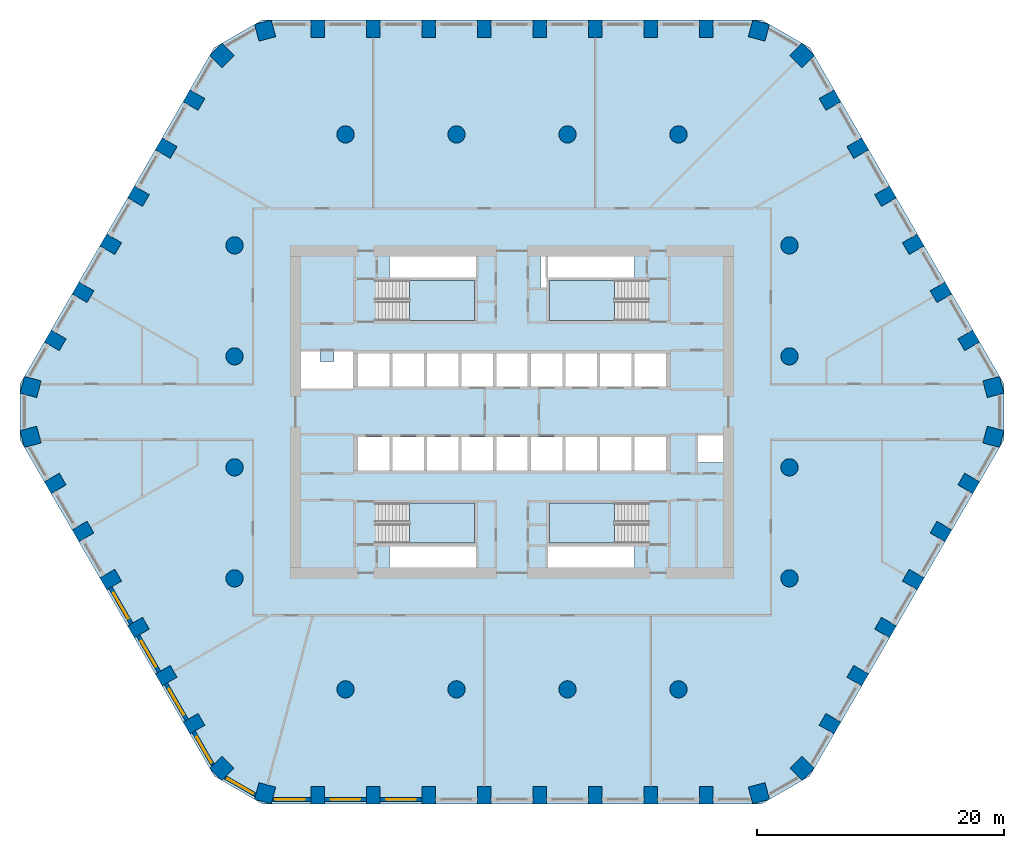
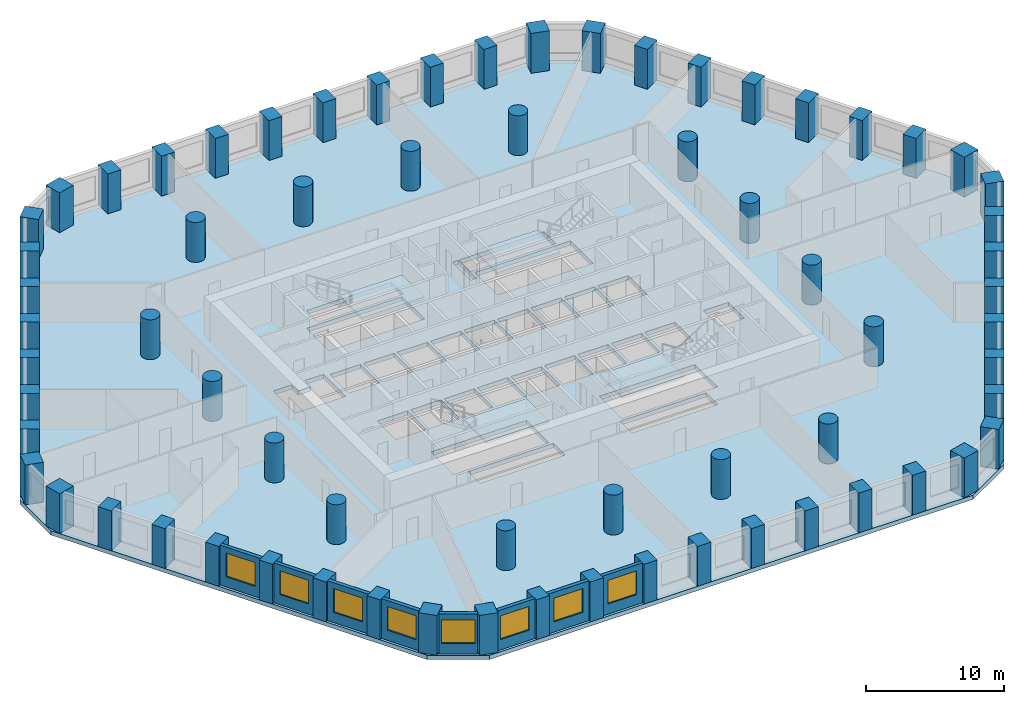
# One storey, part 1 of 10: 68 columns, 8 walls, 8 windows, 5 slabs, 8 openings, 4 elements without a shape of their own.
"""IFC4 building model written with IfcOpenShell, lengths in metres."""

from ifc_helpers import new_model, si_unit, direction, frame, frame_2d, origin, origin_2d, place, context, subcontext, project, spatial, polyline, rectangle, circle, outline, extrude, material, layer, layer_set, material_profile, profile_set, type_object, element, fill, aggregate, save


model = new_model("IFC4")

# Units and contexts
model_context = context("Model", 3, precision=1e-05, world=origin(), true_north=direction((0.0, 1.0)))
body_context = subcontext(model_context, "Body", "Model", "MODEL_VIEW")
ifc_project = project(units=[si_unit("LENGTHUNIT", "METRE"), si_unit("AREAUNIT", "SQUARE_METRE"), si_unit("VOLUMEUNIT", "CUBIC_METRE"), si_unit("PLANEANGLEUNIT", "RADIAN"), si_unit("MASSUNIT", "GRAM", prefix="KILO")], contexts=[model_context])

# Site, building, storey
site_placement = place(None, origin())
site = spatial("IfcSite", under=ifc_project, at=site_placement, CompositionType="ELEMENT")
building_placement = place(site_placement, origin())
building = spatial("IfcBuilding", under=site, at=building_placement, Name="Dhurran Vertical Campus", CompositionType="ELEMENT")
storey_placement = place(building_placement, frame((0.0, 0.0, 33.89990234375)))
storey = spatial("IfcBuildingStorey", under=building, at=storey_placement, Name="L07", CompositionType="ELEMENT", Elevation=33.89990234375)

# Columns
ifc_material_1 = material(Name="Concrete C70/85", Category="concrete")
ifc_material_profile_1 = material_profile(ifc_material_1, rectangle(XDim=1.10009765625, YDim=1.39990234375, at=origin_2d()), Name="RC 1100x1400")
ifc_profile_set_1 = profile_set([ifc_material_profile_1], Name="Concrete C70/85")
column_type_1 = type_object("IfcColumnType", Name="FR COL RC 1100x1400 C70/85", PredefinedType="COLUMN", material=ifc_profile_set_1)
for number, where, z_axis, x_axis, name in (
    (1, (-15.75, -31.079833984375, 0.0), (0.0, 0.0, 1.0), (1.0, 0.0, 0.0), "Perimeter pier PP1.01"),
    (2, (-11.25, -31.079833984375, 0.0), (0.0, 0.0, 1.0), (1.0, 0.0, 0.0), "Perimeter pier PP1.02"),
    (3, (-6.75, -31.079833984375, 0.0), (0.0, 0.0, 1.0), (1.0, 0.0, 0.0), "Perimeter pier PP1.03"),
    (4, (-2.25, -31.079833984375, 0.0), (0.0, 0.0, 1.0), (1.0, 0.0, 0.0), "Perimeter pier PP1.04"),
    (5, (2.25, -31.079833984375, 0.0), (0.0, 0.0, 1.0), (1.0, 0.0, 0.0), "Perimeter pier PP1.05"),
    (6, (6.75, -31.079833984375, 0.0), (0.0, 0.0, 1.0), (1.0, 0.0, 0.0), "Perimeter pier PP1.06"),
    (7, (11.25, -31.079833984375, 0.0), (0.0, 0.0, 1.0), (1.0, 0.0, 0.0), "Perimeter pier PP1.07"),
    (8, (15.75, -31.079833984375, 0.0), (0.0, 0.0, 1.0), (1.0, 0.0, 0.0), "Perimeter pier PP1.08"),
    (9, (25.791015625, -25.28271484375, 0.0), (0.0, 0.0, 1.0), (0.5, 0.866025403784, 0.0), "Perimeter pier PP1.11"),
    (10, (28.041015625, -21.385498046875, 0.0), (0.0, 0.0, 1.0), (0.5, 0.866025403784, 0.0), "Perimeter pier PP1.12"),
    (11, (30.291015625, -17.488525390625, 0.0), (0.0, 0.0, 1.0), (0.5, 0.866025403784, 0.0), "Perimeter pier PP1.13"),
    (12, (32.541015625, -13.59130859375, 0.0), (0.0, 0.0, 1.0), (0.5, 0.866025403784, 0.0), "Perimeter pier PP1.14"),
    (13, (34.791015625, -9.694091796875, 0.0), (0.0, 0.0, 1.0), (0.5, 0.866025403784, 0.0), "Perimeter pier PP1.15"),
    (14, (37.041015625, -5.797119140625, 0.0), (0.0, 0.0, 1.0), (0.5, 0.866025403784, 0.0), "Perimeter pier PP1.16"),
    (15, (37.041015625, 5.797119140625, 0.0), (0.0, 0.0, 1.0), (-0.5, 0.866025403784, 0.0), "Perimeter pier PP1.19"),
    (16, (34.791015625, 9.694091796875, 0.0), (0.0, 0.0, 1.0), (-0.5, 0.866025403784, 0.0), "Perimeter pier PP1.20"),
    (17, (32.541015625, 13.59130859375, 0.0), (0.0, 0.0, 1.0), (-0.5, 0.866025403784, 0.0), "Perimeter pier PP1.21"),
    (18, (30.291015625, 17.488525390625, 0.0), (0.0, 0.0, 1.0), (-0.5, 0.866025403784, 0.0), "Perimeter pier PP1.22"),
    (19, (28.041015625, 21.385498046875, 0.0), (0.0, 0.0, 1.0), (-0.5, 0.866025403784, 0.0), "Perimeter pier PP1.23"),
    (20, (25.791015625, 25.28271484375, 0.0), (0.0, 0.0, 1.0), (-0.5, 0.866025403784, 0.0), "Perimeter pier PP1.24"),
    (21, (15.75, 31.079833984375, 0.0), (0.0, 0.0, 1.0), (-1.0, 0.0, 0.0), "Perimeter pier PP1.27"),
    (22, (11.25, 31.079833984375, 0.0), (0.0, 0.0, 1.0), (-1.0, 0.0, 0.0), "Perimeter pier PP1.28"),
    (23, (6.75, 31.079833984375, 0.0), (0.0, 0.0, 1.0), (-1.0, 0.0, 0.0), "Perimeter pier PP1.29"),
    (24, (2.25, 31.079833984375, 0.0), (0.0, 0.0, 1.0), (-1.0, 0.0, 0.0), "Perimeter pier PP1.30"),
    (25, (-2.25, 31.079833984375, 0.0), (0.0, 0.0, 1.0), (-1.0, 0.0, 0.0), "Perimeter pier PP1.31"),
    (26, (-6.75, 31.079833984375, 0.0), (0.0, 0.0, 1.0), (-1.0, 0.0, 0.0), "Perimeter pier PP1.32"),
    (27, (-11.25, 31.079833984375, 0.0), (0.0, 0.0, 1.0), (-1.0, 0.0, 0.0), "Perimeter pier PP1.33"),
    (28, (-15.75, 31.079833984375, 0.0), (0.0, 0.0, 1.0), (-1.0, 0.0, 0.0), "Perimeter pier PP1.34"),
    (29, (-25.791015625, 25.28271484375, 0.0), (0.0, 0.0, 1.0), (-0.5, -0.866025403784, 0.0), "Perimeter pier PP1.37"),
    (30, (-28.041015625, 21.385498046875, 0.0), (0.0, 0.0, 1.0), (-0.5, -0.866025403784, 0.0), "Perimeter pier PP1.38"),
    (31, (-30.291015625, 17.488525390625, 0.0), (0.0, 0.0, 1.0), (-0.5, -0.866025403784, 0.0), "Perimeter pier PP1.39"),
    (32, (-32.541015625, 13.59130859375, 0.0), (0.0, 0.0, 1.0), (-0.5, -0.866025403784, 0.0), "Perimeter pier PP1.40"),
    (33, (-34.791015625, 9.694091796875, 0.0), (0.0, 0.0, 1.0), (-0.5, -0.866025403784, 0.0), "Perimeter pier PP1.41"),
    (34, (-37.041015625, 5.797119140625, 0.0), (0.0, 0.0, 1.0), (-0.5, -0.866025403784, 0.0), "Perimeter pier PP1.42"),
    (35, (-37.041015625, -5.797119140625, 0.0), (0.0, 0.0, 1.0), (0.5, -0.866025403784, 0.0), "Perimeter pier PP1.45"),
    (36, (-34.791015625, -9.694091796875, 0.0), (0.0, 0.0, 1.0), (0.5, -0.866025403784, 0.0), "Perimeter pier PP1.46"),
    (37, (-32.541015625, -13.59130859375, 0.0), (0.0, 0.0, 1.0), (0.5, -0.866025403784, 0.0), "Perimeter pier PP1.47"),
    (38, (-30.291015625, -17.488525390625, 0.0), (0.0, 0.0, 1.0), (0.5, -0.866025403784, 0.0), "Perimeter pier PP1.48"),
    (39, (-28.041015625, -21.385498046875, 0.0), (0.0, 0.0, 1.0), (0.5, -0.866025403784, 0.0), "Perimeter pier PP1.49"),
    (40, (-25.791015625, -25.28271484375, 0.0), (0.0, 0.0, 1.0), (0.5, -0.866025403784, 0.0), "Perimeter pier PP1.50"),
):
    element("IfcColumn", number, at=place(storey_placement, frame(where, z_axis=z_axis, x_axis=x_axis)), inside=storey, type_object=column_type_1, Name=name, PredefinedType="COLUMN", context=body_context, shape_type="SweptSolid", body=[
        extrude(rectangle(XDim=1.10009765625, YDim=1.39990234375, at=origin_2d()), origin(), (0.0, 0.0, 1.0), 3.525146484375),
    ])
ifc_material_2 = material(Name="Concrete C70/85", Category="concrete")
ifc_material_profile_2 = material_profile(ifc_material_2, rectangle(XDim=1.39990234375, YDim=1.39990234375, at=origin_2d()), Name="RC 1400x1400")
ifc_profile_set_2 = profile_set([ifc_material_profile_2], Name="Concrete C70/85")
column_type_2 = type_object("IfcColumnType", Name="FR COL RC 1400x1400 C70/85", PredefinedType="COLUMN", material=ifc_profile_set_2)
for number, where, z_axis, x_axis, name in (
    (41, (-20.020263671875, -30.922607421875, 0.0), (0.0, 0.0, 1.0), (0.965925826289, -0.258819045103, 0.0), "Perimeter pier PP1.00"),
    (42, (20.020263671875, -30.922607421875, 0.0), (0.0, 0.0, 1.0), (0.965925826289, 0.258819045103, 0.0), "Perimeter pier PP1.09"),
    (43, (23.51953125, -28.902099609375, 0.0), (0.0, 0.0, 1.0), (0.707106781187, 0.707106781187, 0.0), "Perimeter pier PP1.10"),
    (44, (39.039794921875, -2.020263671875, 0.0), (0.0, 0.0, 1.0), (0.258819045103, 0.965925826289, 0.0), "Perimeter pier PP1.17"),
    (45, (39.039794921875, 2.020263671875, 0.0), (0.0, 0.0, 1.0), (-0.258819045103, 0.965925826289, 0.0), "Perimeter pier PP1.18"),
    (46, (23.51953125, 28.902099609375, 0.0), (0.0, 0.0, 1.0), (-0.707106781187, 0.707106781187, 0.0), "Perimeter pier PP1.25"),
    (47, (20.020263671875, 30.922607421875, 0.0), (0.0, 0.0, 1.0), (-0.965925826289, 0.258819045103, 0.0), "Perimeter pier PP1.26"),
    (48, (-20.020263671875, 30.922607421875, 0.0), (0.0, 0.0, 1.0), (-0.965925826289, -0.258819045103, 0.0), "Perimeter pier PP1.35"),
    (49, (-23.51953125, 28.902099609375, 0.0), (0.0, 0.0, 1.0), (-0.707106781187, -0.707106781187, 0.0), "Perimeter pier PP1.36"),
    (50, (-39.039794921875, 2.020263671875, 0.0), (0.0, 0.0, 1.0), (-0.258819045103, -0.965925826289, 0.0), "Perimeter pier PP1.43"),
    (51, (-39.039794921875, -2.020263671875, 0.0), (0.0, 0.0, 1.0), (0.258819045103, -0.965925826289, 0.0), "Perimeter pier PP1.44"),
    (52, (-23.51953125, -28.902099609375, 0.0), (0.0, 0.0, 1.0), (0.707106781187, -0.707106781187, 0.0), "Perimeter pier PP1.51"),
):
    element("IfcColumn", number, at=place(storey_placement, frame(where, z_axis=z_axis, x_axis=x_axis)), inside=storey, type_object=column_type_2, Name=name, PredefinedType="COLUMN", context=body_context, shape_type="SweptSolid", body=[
        extrude(rectangle(XDim=1.39990234375, YDim=1.39990234375, at=origin_2d()), origin(), (0.0, 0.0, 1.0), 3.525146484375),
    ])
ifc_material_3 = material(Name="Concrete C70/85", Category="concrete")
ifc_material_profile_3 = material_profile(ifc_material_3, circle(Radius=0.699951171875, at=origin_2d()), Name="RCC D1400")
ifc_profile_set_3 = profile_set([ifc_material_profile_3], Name="Concrete C70/85")
column_type_3 = type_object("IfcColumnType", Name="FR COL RCC D1400 C70/85", PredefinedType="COLUMN", material=ifc_profile_set_3)
for number, where, z_axis, x_axis, name in (
    (53, (-22.5, -13.5, 0.0), (0.0, 0.0, 1.0), (1.0, 0.0, 0.0), "Inner column IC1-D4"),
    (54, (-22.5, -4.5, 0.0), (0.0, 0.0, 1.0), (1.0, 0.0, 0.0), "Inner column IC1-D5"),
    (55, (-22.5, 4.5, 0.0), (0.0, 0.0, 1.0), (1.0, 0.0, 0.0), "Inner column IC1-D6"),
    (56, (-22.5, 13.5, 0.0), (0.0, 0.0, 1.0), (1.0, 0.0, 0.0), "Inner column IC1-D7"),
    (57, (-13.5, -22.5, 0.0), (0.0, 0.0, 1.0), (1.0, 0.0, 0.0), "Inner column IC1-E3"),
    (58, (-13.5, 22.5, 0.0), (0.0, 0.0, 1.0), (1.0, 0.0, 0.0), "Inner column IC1-E8"),
    (59, (-4.5, -22.5, 0.0), (0.0, 0.0, 1.0), (1.0, 0.0, 0.0), "Inner column IC1-F3"),
    (60, (-4.5, 22.5, 0.0), (0.0, 0.0, 1.0), (1.0, 0.0, 0.0), "Inner column IC1-F8"),
    (61, (4.5, -22.5, 0.0), (0.0, 0.0, 1.0), (1.0, 0.0, 0.0), "Inner column IC1-G3"),
    (62, (4.5, 22.5, 0.0), (0.0, 0.0, 1.0), (1.0, 0.0, 0.0), "Inner column IC1-G8"),
    (63, (13.5, -22.5, 0.0), (0.0, 0.0, 1.0), (1.0, 0.0, 0.0), "Inner column IC1-H3"),
    (64, (13.5, 22.5, 0.0), (0.0, 0.0, 1.0), (1.0, 0.0, 0.0), "Inner column IC1-H8"),
    (65, (22.5, -13.5, 0.0), (0.0, 0.0, 1.0), (1.0, 0.0, 0.0), "Inner column IC1-J4"),
    (66, (22.5, -4.5, 0.0), (0.0, 0.0, 1.0), (1.0, 0.0, 0.0), "Inner column IC1-J5"),
    (67, (22.5, 4.5, 0.0), (0.0, 0.0, 1.0), (1.0, 0.0, 0.0), "Inner column IC1-J6"),
    (68, (22.5, 13.5, 0.0), (0.0, 0.0, 1.0), (1.0, 0.0, 0.0), "Inner column IC1-J7"),
):
    element("IfcColumn", number, at=place(storey_placement, frame(where, z_axis=z_axis, x_axis=x_axis)), inside=storey, type_object=column_type_3, Name=name, PredefinedType="COLUMN", context=body_context, shape_type="SweptSolid", body=[
        extrude(circle(Radius=0.699951171875, at=origin_2d()), origin(), (0.0, 0.0, 1.0), 3.525146484375),
    ])

# Slab
ifc_material_4 = material(Name="Concrete C40/50", Category="concrete")
ifc_layer_1 = layer(ifc_material_4, 0.375)
ifc_layer_set_1 = layer_set([ifc_layer_1], Name="Concrete C40/50")
slab_type_1 = type_object("IfcSlabType", Name="FR POST-TENSIONED FLAT SLAB 375", PredefinedType="FLOOR", material=ifc_layer_set_1)
slab_1_placement = place(storey_placement, frame((0.0, 0.0, -0.375)))
element("IfcSlab", 69, at=slab_1_placement, inside=storey, type_object=slab_type_1, Name="Floor slab L07", PredefinedType="FLOOR", context=body_context, shape_type="SweptSolid", body=[
    extrude(outline(polyline([(-20.25, -31.77978515625), (20.25, -31.77978515625), (24.147216796875, -29.52978515625), (39.897216796875, -2.25), (39.897216796875, 2.25), (24.147216796875, 29.52978515625), (20.25, 31.77978515625), (-20.25, 31.77978515625), (-24.147216796875, 29.52978515625), (-39.897216796875, 2.25), (-39.897216796875, -2.25), (-24.147216796875, -29.52978515625), (-20.25, -31.77978515625)]), holes=[polyline([(-12.47509765625, 2.050048828125), (-9.925048828125, 2.050048828125), (-9.925048828125, 4.75), (-12.47509765625, 4.75), (-12.47509765625, 2.050048828125)]), polyline([(-9.675048828125, 2.050048828125), (-7.125, 2.050048828125), (-7.125, 4.75), (-9.675048828125, 4.75), (-9.675048828125, 2.050048828125)]), polyline([(-6.875, 2.050048828125), (-4.324951171875, 2.050048828125), (-4.324951171875, 4.75), (-6.875, 4.75), (-6.875, 2.050048828125)]), polyline([(-1.27490234375, 2.050048828125), (1.27490234375, 2.050048828125), (1.27490234375, 4.75), (-1.27490234375, 4.75), (-1.27490234375, 2.050048828125)]), polyline([(9.925048828125, 2.050048828125), (12.47509765625, 2.050048828125), (12.47509765625, 4.75), (9.925048828125, 4.75), (9.925048828125, 2.050048828125)]), polyline([(-1.27490234375, -4.75), (1.27490234375, -4.75), (1.27490234375, -2.050048828125), (-1.27490234375, -2.050048828125), (-1.27490234375, -4.75)]), polyline([(1.52490234375, -4.75), (4.074951171875, -4.75), (4.074951171875, -2.050048828125), (1.52490234375, -2.050048828125), (1.52490234375, -4.75)]), polyline([(4.324951171875, -4.75), (6.875, -4.75), (6.875, -2.050048828125), (4.324951171875, -2.050048828125), (4.324951171875, -4.75)]), polyline([(7.125, -4.75), (9.675048828125, -4.75), (9.675048828125, -2.050048828125), (7.125, -2.050048828125), (7.125, -4.75)]), polyline([(9.925048828125, -4.75), (12.47509765625, -4.75), (12.47509765625, -2.050048828125), (9.925048828125, -2.050048828125), (9.925048828125, -4.75)]), polyline([(-4.074951171875, 2.050048828125), (-1.52490234375, 2.050048828125), (-1.52490234375, 4.75), (-4.074951171875, 4.75), (-4.074951171875, 2.050048828125)]), polyline([(1.52490234375, 2.050048828125), (4.074951171875, 2.050048828125), (4.074951171875, 4.75), (1.52490234375, 4.75), (1.52490234375, 2.050048828125)]), polyline([(4.324951171875, 2.050048828125), (6.875, 2.050048828125), (6.875, 4.75), (4.324951171875, 4.75), (4.324951171875, 2.050048828125)]), polyline([(7.125, 2.050048828125), (9.675048828125, 2.050048828125), (9.675048828125, 4.75), (7.125, 4.75), (7.125, 2.050048828125)]), polyline([(-12.47509765625, -4.75), (-9.925048828125, -4.75), (-9.925048828125, -2.050048828125), (-12.47509765625, -2.050048828125), (-12.47509765625, -4.75)]), polyline([(-9.675048828125, -4.75), (-7.125, -4.75), (-7.125, -2.050048828125), (-9.675048828125, -2.050048828125), (-9.675048828125, -4.75)]), polyline([(-6.875, -4.75), (-4.324951171875, -4.75), (-4.324951171875, -2.050048828125), (-6.875, -2.050048828125), (-6.875, -4.75)]), polyline([(-4.074951171875, -4.75), (-1.52490234375, -4.75), (-1.52490234375, -2.050048828125), (-4.074951171875, -2.050048828125), (-4.074951171875, -4.75)]), polyline([(-11.050048828125, 7.39990234375), (-3.050048828125, 7.39990234375), (-3.050048828125, 10.64990234375), (-11.050048828125, 10.64990234375), (-11.050048828125, 7.39990234375)]), polyline([(3.050048828125, 7.39990234375), (11.050048828125, 7.39990234375), (11.050048828125, 10.64990234375), (3.050048828125, 10.64990234375), (3.050048828125, 7.39990234375)]), polyline([(-11.050048828125, -10.64990234375), (-3.050048828125, -10.64990234375), (-3.050048828125, -7.39990234375), (-11.050048828125, -7.39990234375), (-11.050048828125, -10.64990234375)]), polyline([(3.050048828125, -10.64990234375), (11.050048828125, -10.64990234375), (11.050048828125, -7.39990234375), (3.050048828125, -7.39990234375), (3.050048828125, -10.64990234375)]), polyline([(2.300048828125, 9.97509765625), (2.300048828125, 12.60009765625), (2.800048828125, 12.60009765625), (2.800048828125, 9.97509765625), (2.300048828125, 9.97509765625)]), polyline([(-9.949951171875, 10.89990234375), (-9.949951171875, 12.60009765625), (-2.800048828125, 12.60009765625), (-2.800048828125, 10.89990234375), (-9.949951171875, 10.89990234375)]), polyline([(9.949951171875, 12.60009765625), (9.949951171875, 10.89990234375), (2.85009765625, 10.89990234375), (2.85009765625, 12.60009765625), (9.949951171875, 12.60009765625)]), polyline([(-9.949951171875, -12.60009765625), (-9.949951171875, -10.89990234375), (-2.800048828125, -10.89990234375), (-2.800048828125, -12.60009765625), (-9.949951171875, -12.60009765625)]), polyline([(9.949951171875, -10.89990234375), (9.949951171875, -12.60009765625), (2.800048828125, -12.60009765625), (2.800048828125, -10.89990234375), (9.949951171875, -10.89990234375)]), polyline([(17.10009765625, -4.10009765625), (15.0, -4.10009765625), (15.0, -1.800048828125), (17.10009765625, -1.800048828125), (17.10009765625, -4.10009765625)]), polyline([(-17.10009765625, 1.800048828125), (-17.10009765625, 5.0), (-15.550048828125, 5.0), (-15.550048828125, 4.10009765625), (-14.449951171875, 4.10009765625), (-14.449951171875, 5.0), (-12.89990234375, 5.0), (-12.89990234375, 1.800048828125), (-17.10009765625, 1.800048828125)])]), origin(), (0.0, 0.0, 1.0), 0.375),
])

# Stair, slab
ifc_material_5 = material(Name="Concrete C40/50", Category="concrete")
stair_type = type_object("IfcStairType", Name="co-ST-CORE", PredefinedType="HALF_TURN_STAIR", material=ifc_material_5)
stair_1_placement = place(storey_placement, origin())
stair_1 = element("IfcStair", 70, at=stair_1_placement, inside=storey, type_object=stair_type, Name="L07 Protected exit stair ST1", PredefinedType="HALF_TURN_STAIR")
ifc_material_6 = material(Name="Concrete C40/50", Category="concrete")
ifc_layer_2 = layer(ifc_material_6, 0.199951171875)
ifc_layer_set_2 = layer_set([ifc_layer_2], Name="Concrete C40/50")
slab_type_2 = type_object("IfcSlabType", Name="co-SL-LANDING", PredefinedType="LANDING", material=ifc_layer_set_2)
slab_2_placement = place(storey_placement, frame((0.0, 0.0, 1.75)))
slab_2 = element("IfcSlab", 71, at=slab_2_placement, type_object=slab_type_2, Name="ST1 landing 1", PredefinedType="LANDING", context=body_context, shape_type="SweptSolid", body=[
    extrude(outline(polyline([(-8.300048828125, 7.39990234375), (-3.050048828125, 7.39990234375), (-3.050048828125, 10.64990234375), (-8.300048828125, 10.64990234375), (-8.300048828125, 7.39990234375)])), origin(), (0.0, 0.0, 1.0), 0.2001953125),
])
aggregate(stair_1, [slab_2])

stair_2_placement = place(storey_placement, origin())
stair_2 = element("IfcStair", 72, at=stair_2_placement, inside=storey, type_object=stair_type, Name="L07 Protected exit stair ST2", PredefinedType="HALF_TURN_STAIR")
slab_3_placement = place(storey_placement, frame((0.0, 0.0, 1.75)))
slab_3 = element("IfcSlab", 73, at=slab_3_placement, type_object=slab_type_2, Name="ST2 landing 1", PredefinedType="LANDING", context=body_context, shape_type="SweptSolid", body=[
    extrude(outline(polyline([(8.300048828125, 10.64990234375), (3.050048828125, 10.64990234375), (3.050048828125, 7.39990234375), (8.300048828125, 7.39990234375), (8.300048828125, 10.64990234375)])), origin(), (0.0, 0.0, 1.0), 0.2001953125),
])
aggregate(stair_2, [slab_3])

stair_3_placement = place(storey_placement, origin())
stair_3 = element("IfcStair", 74, at=stair_3_placement, inside=storey, type_object=stair_type, Name="L07 Protected exit stair ST3", PredefinedType="HALF_TURN_STAIR")
slab_4_placement = place(storey_placement, frame((0.0, 0.0, 1.75)))
slab_4 = element("IfcSlab", 75, at=slab_4_placement, type_object=slab_type_2, Name="ST3 landing 1", PredefinedType="LANDING", context=body_context, shape_type="SweptSolid", body=[
    extrude(outline(polyline([(-8.300048828125, -10.64990234375), (-3.050048828125, -10.64990234375), (-3.050048828125, -7.39990234375), (-8.300048828125, -7.39990234375), (-8.300048828125, -10.64990234375)])), origin(), (0.0, 0.0, 1.0), 0.2001953125),
])
aggregate(stair_3, [slab_4])

stair_4_placement = place(storey_placement, origin())
stair_4 = element("IfcStair", 76, at=stair_4_placement, inside=storey, type_object=stair_type, Name="L07 Protected exit stair ST4", PredefinedType="HALF_TURN_STAIR")
slab_5_placement = place(storey_placement, frame((0.0, 0.0, 1.75)))
slab_5 = element("IfcSlab", 77, at=slab_5_placement, type_object=slab_type_2, Name="ST4 landing 1", PredefinedType="LANDING", context=body_context, shape_type="SweptSolid", body=[
    extrude(outline(polyline([(8.300048828125, -7.39990234375), (3.050048828125, -7.39990234375), (3.050048828125, -10.64990234375), (8.300048828125, -10.64990234375), (8.300048828125, -7.39990234375)])), origin(), (0.0, 0.0, 1.0), 0.2001953125),
])
aggregate(stair_4, [slab_5])

# Wall, opening, window
ifc_material_7 = material(Name="Precast concrete C50/60", Category="concrete")
ifc_layer_3 = layer(ifc_material_7, 0.300048828125)
ifc_layer_set_3 = layer_set([ifc_layer_3], Name="Precast concrete C50/60")
wall_type = type_object("IfcWallType", Name="Precast spandrel wall 300", PredefinedType="SOLIDWALL", material=ifc_layer_set_3)
wall_1_placement = place(storey_placement, frame((-19.39111328125, -31.4296875, 0.0), z_axis=(0.0, 0.0, 1.0), x_axis=(1.0, 0.0, 0.0)))
wall_1 = element("IfcWall", 78, at=wall_1_placement, inside=storey, type_object=wall_type, Name="EW1 L07.00", PredefinedType="SOLIDWALL", context=body_context, shape_type="SweptSolid", body=[
    extrude(rectangle(XDim=3.090576171875, YDim=0.300048828125, at=frame_2d((1.54541015625, 0.0))), origin(), (0.0, 0.0, 1.0), 3.525146484375),
])
opening_1_placement = place(wall_1_placement, frame((0.191162109375, 0.0, 0.89990234375)))
opening_1 = element("IfcOpeningElement", 79, at=opening_1_placement, cuts=wall_1, Name="Opening WT1", PredefinedType="OPENING", context=body_context, shape_type="SweptSolid", body=[
    extrude(rectangle(XDim=2.39990234375, YDim=2.10009765625, at=frame_2d((1.199951171875, 1.050048828125))), frame((0.0, 0.159912109375, 0.0), z_axis=(0.0, -1.0, 0.0), x_axis=(1.0, 0.0, 0.0)), (0.0, 0.0, 1.0), 0.320068359375),
])
ifc_material_8 = material(Name="Aluminium frame with solar-control glass", Category="aluminium")
window_type = type_object("IfcWindowType", Name="Punched window 2400 x 2100", PartitioningType="SINGLE_PANEL", PredefinedType="WINDOW", material=ifc_material_8)
window_1_placement = place(opening_1_placement, origin())
window_1 = element("IfcWindow", 80, at=window_1_placement, inside=storey, type_object=window_type, Name="WT1 L07.00", OverallHeight=2.10009765625, OverallWidth=2.39990234375, PartitioningType="SINGLE_PANEL", PredefinedType="WINDOW", context=body_context, shape_type="SweptSolid", body=[
    extrude(rectangle(XDim=2.39990234375, YDim=2.10009765625, at=frame_2d((1.199951171875, 1.050048828125))), frame((0.0, 0.030029296875, 0.0), z_axis=(0.0, -1.0, 0.0), x_axis=(1.0, 0.0, 0.0)), (0.0, 0.0, 1.0), 0.06005859375),
])
fill(opening_1, window_1)

wall_2_placement = place(storey_placement, frame((-15.199462890625, -31.4296875, 0.0), z_axis=(0.0, 0.0, 1.0), x_axis=(1.0, 0.0, 0.0)))
wall_2 = element("IfcWall", 81, at=wall_2_placement, inside=storey, type_object=wall_type, Name="EW1 L07.01", PredefinedType="SOLIDWALL", context=body_context, shape_type="SweptSolid", body=[
    extrude(rectangle(XDim=3.39892578125, YDim=0.300048828125, at=frame_2d((1.699462890625, 0.0))), origin(), (0.0, 0.0, 1.0), 3.525146484375),
])
opening_2_placement = place(wall_2_placement, frame((0.49951171875, 0.0, 0.89990234375)))
opening_2 = element("IfcOpeningElement", 82, at=opening_2_placement, cuts=wall_2, Name="Opening WT1", PredefinedType="OPENING", context=body_context, shape_type="SweptSolid", body=[
    extrude(rectangle(XDim=2.39990234375, YDim=2.10009765625, at=frame_2d((1.199951171875, 1.050048828125))), frame((0.0, 0.159912109375, 0.0), z_axis=(0.0, -1.0, 0.0), x_axis=(1.0, 0.0, 0.0)), (0.0, 0.0, 1.0), 0.320068359375),
])
window_2_placement = place(opening_2_placement, origin())
window_2 = element("IfcWindow", 83, at=window_2_placement, inside=storey, type_object=window_type, Name="WT1 L07.01", OverallHeight=2.10009765625, OverallWidth=2.39990234375, PartitioningType="SINGLE_PANEL", PredefinedType="WINDOW", context=body_context, shape_type="SweptSolid", body=[
    extrude(rectangle(XDim=2.39990234375, YDim=2.10009765625, at=frame_2d((1.199951171875, 1.050048828125))), frame((0.0, 0.030029296875, 0.0), z_axis=(0.0, -1.0, 0.0), x_axis=(1.0, 0.0, 0.0)), (0.0, 0.0, 1.0), 0.06005859375),
])
fill(opening_2, window_2)

wall_3_placement = place(storey_placement, frame((-10.699462890625, -31.4296875, 0.0), z_axis=(0.0, 0.0, 1.0), x_axis=(1.0, 0.0, 0.0)))
wall_3 = element("IfcWall", 84, at=wall_3_placement, inside=storey, type_object=wall_type, Name="EW1 L07.02", PredefinedType="SOLIDWALL", context=body_context, shape_type="SweptSolid", body=[
    extrude(rectangle(XDim=3.39892578125, YDim=0.300048828125, at=frame_2d((1.699462890625, 0.0))), origin(), (0.0, 0.0, 1.0), 3.525146484375),
])
opening_3_placement = place(wall_3_placement, frame((0.49951171875, 0.0, 0.89990234375)))
opening_3 = element("IfcOpeningElement", 85, at=opening_3_placement, cuts=wall_3, Name="Opening WT1", PredefinedType="OPENING", context=body_context, shape_type="SweptSolid", body=[
    extrude(rectangle(XDim=2.39990234375, YDim=2.10009765625, at=frame_2d((1.199951171875, 1.050048828125))), frame((0.0, 0.159912109375, 0.0), z_axis=(0.0, -1.0, 0.0), x_axis=(1.0, 0.0, 0.0)), (0.0, 0.0, 1.0), 0.320068359375),
])
window_3_placement = place(opening_3_placement, origin())
window_3 = element("IfcWindow", 86, at=window_3_placement, inside=storey, type_object=window_type, Name="WT1 L07.02", OverallHeight=2.10009765625, OverallWidth=2.39990234375, PartitioningType="SINGLE_PANEL", PredefinedType="WINDOW", context=body_context, shape_type="SweptSolid", body=[
    extrude(rectangle(XDim=2.39990234375, YDim=2.10009765625, at=frame_2d((1.199951171875, 1.050048828125))), frame((0.0, 0.030029296875, 0.0), z_axis=(0.0, -1.0, 0.0), x_axis=(1.0, 0.0, 0.0)), (0.0, 0.0, 1.0), 0.06005859375),
])
fill(opening_3, window_3)

wall_4_placement = place(storey_placement, frame((-32.56884765625, -14.2431640625, 0.0), z_axis=(0.0, 0.0, 1.0), x_axis=(0.499993955907, -0.866028893315, 0.0)))
wall_4 = element("IfcWall", 87, at=wall_4_placement, inside=storey, type_object=wall_type, Name="EW1 L07.47", PredefinedType="SOLIDWALL", context=body_context, shape_type="SweptSolid", body=[
    extrude(rectangle(XDim=3.39892578125, YDim=0.300048828125, at=frame_2d((1.699462890625, 0.0))), origin(), (0.0, 0.0, 1.0), 3.525146484375),
])
opening_4_placement = place(wall_4_placement, frame((0.49951171875, 0.0, 0.89990234375)))
opening_4 = element("IfcOpeningElement", 88, at=opening_4_placement, cuts=wall_4, Name="Opening WT1", PredefinedType="OPENING", context=body_context, shape_type="SweptSolid", body=[
    extrude(rectangle(XDim=2.39990234375, YDim=2.10009765625, at=frame_2d((1.199951171875, 1.050048828125))), frame((0.0, 0.159912109375, 0.0), z_axis=(0.0, -1.0, 0.0), x_axis=(1.0, 0.0, 0.0)), (0.0, 0.0, 1.0), 0.320068359375),
])
window_4_placement = place(opening_4_placement, origin())
window_4 = element("IfcWindow", 89, at=window_4_placement, inside=storey, type_object=window_type, Name="WT1 L07.47", OverallHeight=2.10009765625, OverallWidth=2.39990234375, PartitioningType="SINGLE_PANEL", PredefinedType="WINDOW", context=body_context, shape_type="SweptSolid", body=[
    extrude(rectangle(XDim=2.39990234375, YDim=2.10009765625, at=frame_2d((1.199951171875, 1.050048828125))), frame((0.0, 0.030029296875, 0.0), z_axis=(0.0, -1.0, 0.0), x_axis=(1.0, 0.0, 0.0)), (0.0, 0.0, 1.0), 0.06005859375),
])
fill(opening_4, window_4)

wall_5_placement = place(storey_placement, frame((-30.31884765625, -18.14013671875, 0.0), z_axis=(0.0, 0.0, 1.0), x_axis=(0.499993955907, -0.866028893315, 0.0)))
wall_5 = element("IfcWall", 90, at=wall_5_placement, inside=storey, type_object=wall_type, Name="EW1 L07.48", PredefinedType="SOLIDWALL", context=body_context, shape_type="SweptSolid", body=[
    extrude(rectangle(XDim=3.39892578125, YDim=0.300048828125, at=frame_2d((1.699462890625, 0.0))), origin(), (0.0, 0.0, 1.0), 3.525146484375),
])
opening_5_placement = place(wall_5_placement, frame((0.49951171875, 0.0, 0.89990234375)))
opening_5 = element("IfcOpeningElement", 91, at=opening_5_placement, cuts=wall_5, Name="Opening WT1", PredefinedType="OPENING", context=body_context, shape_type="SweptSolid", body=[
    extrude(rectangle(XDim=2.39990234375, YDim=2.10009765625, at=frame_2d((1.199951171875, 1.050048828125))), frame((0.0, 0.159912109375, 0.0), z_axis=(0.0, -1.0, 0.0), x_axis=(1.0, 0.0, 0.0)), (0.0, 0.0, 1.0), 0.320068359375),
])
window_5_placement = place(opening_5_placement, origin())
window_5 = element("IfcWindow", 92, at=window_5_placement, inside=storey, type_object=window_type, Name="WT1 L07.48", OverallHeight=2.10009765625, OverallWidth=2.39990234375, PartitioningType="SINGLE_PANEL", PredefinedType="WINDOW", context=body_context, shape_type="SweptSolid", body=[
    extrude(rectangle(XDim=2.39990234375, YDim=2.10009765625, at=frame_2d((1.199951171875, 1.050048828125))), frame((0.0, 0.030029296875, 0.0), z_axis=(0.0, -1.0, 0.0), x_axis=(1.0, 0.0, 0.0)), (0.0, 0.0, 1.0), 0.06005859375),
])
fill(opening_5, window_5)

wall_6_placement = place(storey_placement, frame((-28.06884765625, -22.037353515625, 0.0), z_axis=(0.0, 0.0, 1.0), x_axis=(0.499993955907, -0.866028893315, 0.0)))
wall_6 = element("IfcWall", 93, at=wall_6_placement, inside=storey, type_object=wall_type, Name="EW1 L07.49", PredefinedType="SOLIDWALL", context=body_context, shape_type="SweptSolid", body=[
    extrude(rectangle(XDim=3.39892578125, YDim=0.300048828125, at=frame_2d((1.699462890625, 0.0))), origin(), (0.0, 0.0, 1.0), 3.525146484375),
])
opening_6_placement = place(wall_6_placement, frame((0.49951171875, 0.0, 0.89990234375)))
opening_6 = element("IfcOpeningElement", 94, at=opening_6_placement, cuts=wall_6, Name="Opening WT1", PredefinedType="OPENING", context=body_context, shape_type="SweptSolid", body=[
    extrude(rectangle(XDim=2.39990234375, YDim=2.10009765625, at=frame_2d((1.199951171875, 1.050048828125))), frame((0.0, 0.159912109375, 0.0), z_axis=(0.0, -1.0, 0.0), x_axis=(1.0, 0.0, 0.0)), (0.0, 0.0, 1.0), 0.320068359375),
])
window_6_placement = place(opening_6_placement, origin())
window_6 = element("IfcWindow", 95, at=window_6_placement, inside=storey, type_object=window_type, Name="WT1 L07.49", OverallHeight=2.10009765625, OverallWidth=2.39990234375, PartitioningType="SINGLE_PANEL", PredefinedType="WINDOW", context=body_context, shape_type="SweptSolid", body=[
    extrude(rectangle(XDim=2.39990234375, YDim=2.10009765625, at=frame_2d((1.199951171875, 1.050048828125))), frame((0.0, 0.030029296875, 0.0), z_axis=(0.0, -1.0, 0.0), x_axis=(1.0, 0.0, 0.0)), (0.0, 0.0, 1.0), 0.06005859375),
])
fill(opening_6, window_6)

wall_7_placement = place(storey_placement, frame((-25.81884765625, -25.934326171875, 0.0), z_axis=(0.0, 0.0, 1.0), x_axis=(0.499995950774, -0.866027741594, 0.0)))
wall_7 = element("IfcWall", 96, at=wall_7_placement, inside=storey, type_object=wall_type, Name="EW1 L07.50", PredefinedType="SOLIDWALL", context=body_context, shape_type="SweptSolid", body=[
    extrude(rectangle(XDim=3.0908203125, YDim=0.300048828125, at=frame_2d((1.54541015625, 0.0))), origin(), (0.0, 0.0, 1.0), 3.525146484375),
])
opening_7_placement = place(wall_7_placement, frame((0.49951171875, 0.0, 0.89990234375)))
opening_7 = element("IfcOpeningElement", 97, at=opening_7_placement, cuts=wall_7, Name="Opening WT1", PredefinedType="OPENING", context=body_context, shape_type="SweptSolid", body=[
    extrude(rectangle(XDim=2.39990234375, YDim=2.10009765625, at=frame_2d((1.199951171875, 1.050048828125))), frame((0.0, 0.159912109375, 0.0), z_axis=(0.0, -1.0, 0.0), x_axis=(1.0, 0.0, 0.0)), (0.0, 0.0, 1.0), 0.320068359375),
])
window_7_placement = place(opening_7_placement, origin())
window_7 = element("IfcWindow", 98, at=window_7_placement, inside=storey, type_object=window_type, Name="WT1 L07.50", OverallHeight=2.10009765625, OverallWidth=2.39990234375, PartitioningType="SINGLE_PANEL", PredefinedType="WINDOW", context=body_context, shape_type="SweptSolid", body=[
    extrude(rectangle(XDim=2.39990234375, YDim=2.10009765625, at=frame_2d((1.199951171875, 1.050048828125))), frame((0.0, 0.030029296875, 0.0), z_axis=(0.0, -1.0, 0.0), x_axis=(1.0, 0.0, 0.0)), (0.0, 0.0, 1.0), 0.06005859375),
])
fill(opening_7, window_7)

wall_8_placement = place(storey_placement, frame((-23.228271484375, -29.656005859375, 0.0), z_axis=(0.0, 0.0, 1.0), x_axis=(0.866020456713, -0.500008568482, 0.0)))
wall_8 = element("IfcWall", 99, at=wall_8_placement, inside=storey, type_object=wall_type, Name="EW1 L07.51", PredefinedType="SOLIDWALL", context=body_context, shape_type="SweptSolid", body=[
    extrude(rectangle(XDim=2.7822265625, YDim=0.300048828125, at=frame_2d((1.39111328125, 0.0))), origin(), (0.0, 0.0, 1.0), 3.525146484375),
])
opening_8_placement = place(wall_8_placement, frame((0.191162109375, 0.0, 0.89990234375)))
opening_8 = element("IfcOpeningElement", 100, at=opening_8_placement, cuts=wall_8, Name="Opening WT1", PredefinedType="OPENING", context=body_context, shape_type="SweptSolid", body=[
    extrude(rectangle(XDim=2.39990234375, YDim=2.10009765625, at=frame_2d((1.199951171875, 1.050048828125))), frame((0.0, 0.159912109375, 0.0), z_axis=(0.0, -1.0, 0.0), x_axis=(1.0, 0.0, 0.0)), (0.0, 0.0, 1.0), 0.320068359375),
])
window_8_placement = place(opening_8_placement, origin())
window_8 = element("IfcWindow", 101, at=window_8_placement, inside=storey, type_object=window_type, Name="WT1 L07.51", OverallHeight=2.10009765625, OverallWidth=2.39990234375, PartitioningType="SINGLE_PANEL", PredefinedType="WINDOW", context=body_context, shape_type="SweptSolid", body=[
    extrude(rectangle(XDim=2.39990234375, YDim=2.10009765625, at=frame_2d((1.199951171875, 1.050048828125))), frame((0.0, 0.030029296875, 0.0), z_axis=(0.0, -1.0, 0.0), x_axis=(1.0, 0.0, 0.0)), (0.0, 0.0, 1.0), 0.06005859375),
])
fill(opening_8, window_8)

save(model, "model.ifc")
